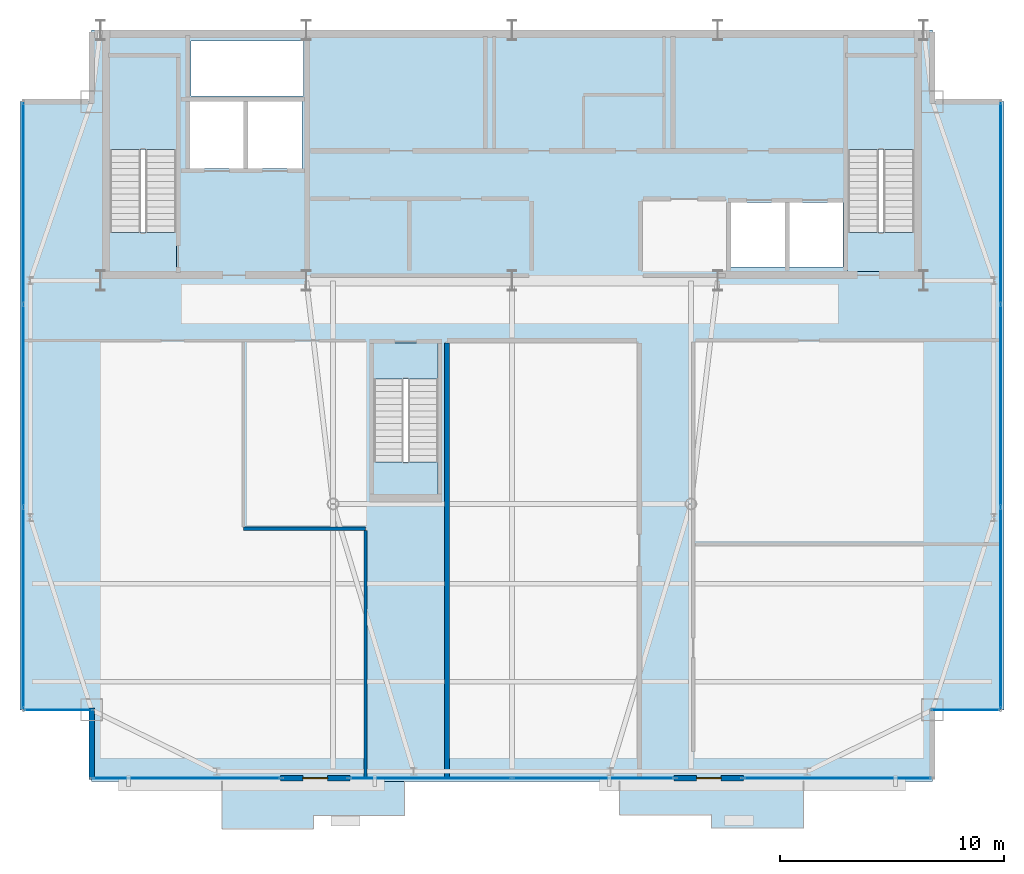
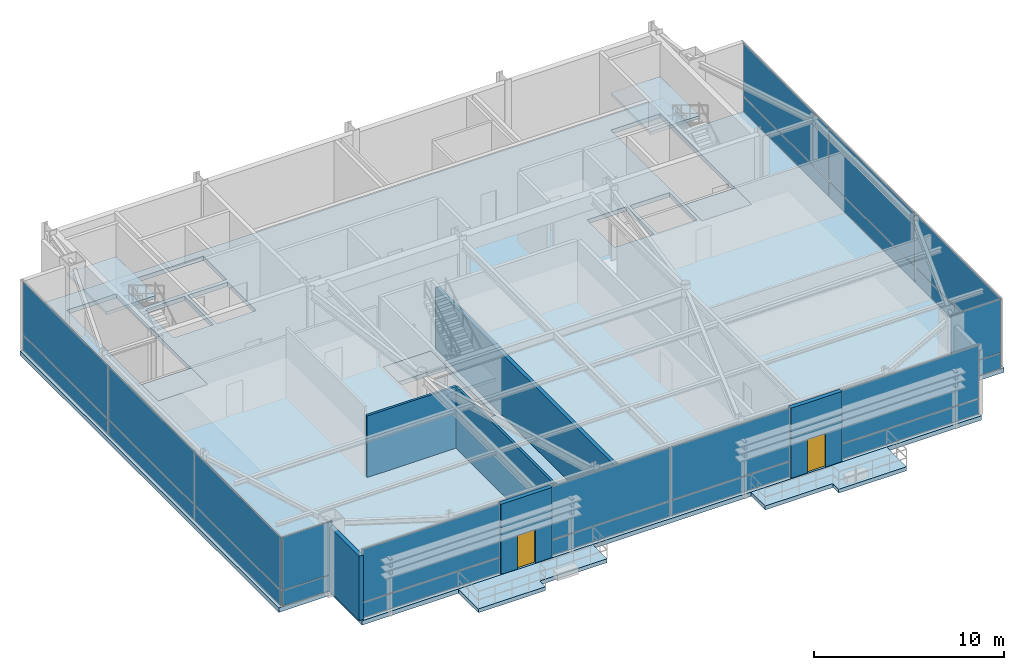
# One storey, part 17 of 22: 24 plates, 9 slabs, 6 walls, 2 doors, 2 openings, 10 elements without a shape of their own.
"""IFC4 building model written with IfcOpenShell, lengths in metres."""

from ifc_helpers import new_model, si_unit, direction, frame, frame_2d, origin, origin_2d, place, context, subcontext, project, spatial, polyline, rectangle, outline, extrude, source, transform, mapped, material, layer, layer_set, type_object, type_shapes, element, fill, aggregate, save


model = new_model("IFC4")

# Units and contexts
model_context = context("Model", 3, precision=1e-05, world=origin(), true_north=direction((0.0, 1.0)))
body_context = subcontext(model_context, "Body", "Model", "MODEL_VIEW")
ifc_project = project(units=[si_unit("LENGTHUNIT", "METRE"), si_unit("AREAUNIT", "SQUARE_METRE"), si_unit("VOLUMEUNIT", "CUBIC_METRE"), si_unit("PLANEANGLEUNIT", "RADIAN"), si_unit("MASSUNIT", "GRAM", prefix="KILO")], contexts=[model_context])

# Site, building, storey
site_placement = place(None, origin())
site = spatial("IfcSite", under=ifc_project, at=site_placement, CompositionType="ELEMENT")
building_placement = place(site_placement, origin())
building = spatial("IfcBuilding", under=site, at=building_placement, Name="Varnel Quay Broadcast Tower", CompositionType="ELEMENT")
storey_placement = place(building_placement, frame((0.0, 0.0, 305.0)))
storey = spatial("IfcBuildingStorey", under=building, at=storey_placement, Name="L76", CompositionType="ELEMENT", Elevation=305.0)

# Slabs
ifc_material_1 = material(Name="Concrete CSA A23.3 C40/50", Category="concrete")
ifc_layer_1 = layer(ifc_material_1, 0.25, Name="Concrete CSA A23.3 C40/50")
ifc_layer_set_1 = layer_set([ifc_layer_1], Name="Concrete CSA A23.3 C40/50")
slab_type_1 = type_object("IfcSlabType", Name="Slab_ExtTerrace250", PredefinedType="FLOOR", material=ifc_layer_set_1)
slab_1_placement = place(storey_placement, frame((0.0, 0.0, -0.25)))
element("IfcSlab", 1, at=slab_1_placement, inside=storey, type_object=slab_type_1, Name="L76 Planted Lobe Terrace Slab 1", PredefinedType="FLOOR", context=body_context, shape_type="SweptSolid", body=[
    extrude(outline(polyline([(21.0400390625, 11.0869140625), (25.1201171875, 11.0869140625), (25.1201171875, 11.68701171875), (29.199951171875, 11.68701171875), (29.199951171875, 13.199951171875), (21.0400390625, 13.199951171875), (21.0400390625, 11.0869140625)])), origin(), (0.0, 0.0, 1.0), 0.25),
])
slab_2_placement = place(storey_placement, frame((0.0, 0.0, -0.25)))
element("IfcSlab", 2, at=slab_2_placement, inside=storey, type_object=slab_type_1, Name="L76 Planted Lobe Terrace Slab 2", PredefinedType="FLOOR", context=body_context, shape_type="SweptSolid", body=[
    extrude(outline(polyline([(38.800048828125, 11.712890625), (42.919921875, 11.712890625), (42.919921875, 11.113037109375), (47.0400390625, 11.113037109375), (47.0400390625, 13.199951171875), (38.800048828125, 13.199951171875), (38.800048828125, 11.712890625)])), origin(), (0.0, 0.0, 1.0), 0.25),
])
ifc_material_2 = material(Name="Concrete CSA A23.3 C50/60", Category="concrete")
ifc_layer_2 = layer(ifc_material_2, 0.280029296875, Name="Concrete CSA A23.3 C50/60")
ifc_layer_set_2 = layer_set([ifc_layer_2], Name="Concrete CSA A23.3 C50/60")
slab_type_2 = type_object("IfcSlabType", Name="Slab_Floor280", PredefinedType="FLOOR", material=ifc_layer_set_2)
slab_3_placement = place(storey_placement, frame((0.0, 0.0, -0.280029296875)))
element("IfcSlab", 3, at=slab_3_placement, inside=storey, type_object=slab_type_2, Name="L76 Structural Slab", PredefinedType="FLOOR", context=body_context, shape_type="SweptSolid", body=[
    extrude(outline(polyline([(15.199951171875, 13.199951171875), (52.800048828125, 13.199951171875), (52.800048828125, 16.39990234375), (56.0, 16.39990234375), (56.0, 43.60009765625), (52.800048828125, 43.60009765625), (52.800048828125, 46.800048828125), (15.199951171875, 46.800048828125), (15.199951171875, 43.60009765625), (12.0, 43.60009765625), (12.0, 16.39990234375), (15.199951171875, 16.39990234375), (15.199951171875, 13.199951171875)]), holes=[polyline([(27.800048828125, 32.800048828125), (30.699951171875, 32.800048828125), (30.699951171875, 26.0), (27.800048828125, 26.0), (27.800048828125, 32.800048828125)]), polyline([(43.800048828125, 36.199951171875), (43.800048828125, 39.10009765625), (46.199951171875, 39.10009765625), (46.199951171875, 36.199951171875), (43.800048828125, 36.199951171875)]), polyline([(46.39990234375, 36.199951171875), (46.39990234375, 39.10009765625), (48.800048828125, 39.10009765625), (48.800048828125, 36.199951171875), (46.39990234375, 36.199951171875)]), polyline([(19.0, 36.0), (16.0, 36.0), (16.0, 45.60009765625), (19.0, 45.60009765625), (19.0, 36.0)]), polyline([(52.0, 36.0), (49.0, 36.0), (49.0, 45.60009765625), (52.0, 45.60009765625), (52.0, 36.0)]), polyline([(19.60009765625, 40.60009765625), (19.60009765625, 43.60009765625), (22.0, 43.60009765625), (22.0, 40.60009765625), (19.60009765625, 40.60009765625)]), polyline([(22.199951171875, 40.60009765625), (22.199951171875, 43.60009765625), (24.60009765625, 43.60009765625), (24.60009765625, 40.60009765625), (22.199951171875, 40.60009765625)]), polyline([(19.64990234375, 43.85009765625), (19.64990234375, 46.300048828125), (24.679931640625, 46.300048828125), (24.679931640625, 43.85009765625), (19.64990234375, 43.85009765625)])]), origin(), (0.0, 0.0, 1.0), 0.280029296875),
])
ifc_layer_3 = layer(ifc_material_2, 0.25, Name="Concrete CSA A23.3 C50/60")
ifc_layer_set_3 = layer_set([ifc_layer_3], Name="Concrete CSA A23.3 C50/60")
slab_type_3 = type_object("IfcSlabType", Name="Slab_StairFloorLanding250", PredefinedType="FLOOR", material=ifc_layer_set_3)
slab_4_placement = place(storey_placement, frame((0.0, 0.0, -0.280029296875)))
element("IfcSlab", 4, at=slab_4_placement, inside=storey, type_object=slab_type_3, Name="L76 ST-01 Structural Floor Landing Slab", PredefinedType="FLOOR", context=body_context, shape_type="SweptSolid", body=[
    extrude(outline(polyline([(19.0, 36.0), (19.0, 37.75), (16.0, 37.75), (16.0, 36.0), (19.0, 36.0)])), origin(), (0.0, 0.0, 1.0), 0.280029296875),
])
slab_5_placement = place(storey_placement, frame((0.0, 0.0, -0.280029296875)))
element("IfcSlab", 5, at=slab_5_placement, inside=storey, type_object=slab_type_3, Name="L76 ST-02 Structural Floor Landing Slab", PredefinedType="FLOOR", context=body_context, shape_type="SweptSolid", body=[
    extrude(outline(polyline([(52.0, 36.0), (52.0, 37.75), (49.0, 37.75), (49.0, 36.0), (52.0, 36.0)])), origin(), (0.0, 0.0, 1.0), 0.280029296875),
])
slab_6_placement = place(storey_placement, frame((0.0, 0.0, -0.280029296875)))
element("IfcSlab", 6, at=slab_6_placement, inside=storey, type_object=slab_type_3, Name="L76 ST-04 Structural Floor Landing Slab", PredefinedType="FLOOR", context=body_context, shape_type="SweptSolid", body=[
    extrude(outline(polyline([(27.800048828125, 32.800048828125), (27.800048828125, 31.199951171875), (30.699951171875, 31.199951171875), (30.699951171875, 32.800048828125), (27.800048828125, 32.800048828125)])), origin(), (0.0, 0.0, 1.0), 0.280029296875),
])

# Stair, slab
ifc_material_3 = material(Name="Precast Structural Concrete C40/50", Category="concrete")
stair_type_1 = type_object("IfcStairType", Name="Stair_ST-01", PredefinedType="HALF_TURN_STAIR", material=ifc_material_3)
stair_1_placement = place(storey_placement, origin())
stair_1 = element("IfcStair", 7, at=stair_1_placement, inside=storey, type_object=stair_type_1, Name="L76 West Core Exit Stair 1", PredefinedType="HALF_TURN_STAIR")
ifc_layer_4 = layer(ifc_material_3, 0.199951171875, Name="Precast Structural Concrete C40/50")
ifc_layer_set_4 = layer_set([ifc_layer_4], Name="Precast Structural Concrete C40/50")
slab_type_4 = type_object("IfcSlabType", Name="Slab_StairLanding200", PredefinedType="LANDING", material=ifc_layer_set_4)
slab_7_placement = place(storey_placement, frame((0.0, 0.0, 2.199951171875)))
slab_7 = element("IfcSlab", 8, at=slab_7_placement, type_object=slab_type_4, Name="ST-01 landing 1", PredefinedType="LANDING", context=body_context, shape_type="SweptSolid", body=[
    extrude(outline(polyline([(19.0, 41.455078125), (19.0, 45.60009765625), (16.0, 45.60009765625), (16.0, 41.455078125), (19.0, 41.455078125)])), origin(), (0.0, 0.0, 1.0), 0.199951171875),
])
aggregate(stair_1, [slab_7])

stair_type_2 = type_object("IfcStairType", Name="Stair_ST-02", PredefinedType="HALF_TURN_STAIR", material=ifc_material_3)
stair_2_placement = place(storey_placement, origin())
stair_2 = element("IfcStair", 9, at=stair_2_placement, inside=storey, type_object=stair_type_2, Name="L76 East Core Exit Stair 2", PredefinedType="HALF_TURN_STAIR")
slab_8_placement = place(storey_placement, frame((0.0, 0.0, 2.199951171875)))
slab_8 = element("IfcSlab", 10, at=slab_8_placement, type_object=slab_type_4, Name="ST-02 landing 1", PredefinedType="LANDING", context=body_context, shape_type="SweptSolid", body=[
    extrude(outline(polyline([(52.0, 41.455078125), (52.0, 45.60009765625), (49.0, 45.60009765625), (49.0, 41.455078125), (52.0, 41.455078125)])), origin(), (0.0, 0.0, 1.0), 0.199951171875),
])
aggregate(stair_2, [slab_8])

stair_type_3 = type_object("IfcStairType", Name="Stair_ST-04", PredefinedType="HALF_TURN_STAIR", material=ifc_material_3)
stair_3_placement = place(storey_placement, origin())
stair_3 = element("IfcStair", 11, at=stair_3_placement, inside=storey, type_object=stair_type_3, Name="L76 Observation Gallery Stair 4", PredefinedType="HALF_TURN_STAIR")
slab_9_placement = place(storey_placement, frame((0.0, 0.0, 2.199951171875)))
slab_9 = element("IfcSlab", 12, at=slab_9_placement, type_object=slab_type_4, Name="ST-04 landing 1", PredefinedType="LANDING", context=body_context, shape_type="SweptSolid", body=[
    extrude(outline(polyline([(27.800048828125, 27.4951171875), (27.800048828125, 26.0), (30.699951171875, 26.0), (30.699951171875, 27.4951171875), (27.800048828125, 27.4951171875)])), origin(), (0.0, 0.0, 1.0), 0.199951171875),
])
aggregate(stair_3, [slab_9])

# Curtain wall, plates
ifc_material_4 = material(Name="Anodised Bronze Aluminium 6063-T6", Category="aluminium")
ifc_layer_5 = layer(ifc_material_4, 0.18994140625, Name="Anodised Bronze Aluminium 6063-T6")
ifc_layer_set_5 = layer_set([ifc_layer_5], Name="Anodised Bronze Aluminium 6063-T6")
curtain_wall_type_1 = type_object("IfcCurtainWallType", Name="CW_SkyObsHighVis", PredefinedType="NOTDEFINED", material=ifc_layer_set_5)
curtain_wall_1_placement = place(storey_placement, origin())
curtain_wall_1 = element("IfcCurtainWall", 13, at=curtain_wall_1_placement, inside=storey, type_object=curtain_wall_type_1, Name="L76 West Unitised Curtain Wall", PredefinedType="NOTDEFINED")
ifc_material_5 = material(Name="Triple-Glazed Clear High-Vision Low-E Glass", Category="glass")
ifc_layer_6 = layer(ifc_material_5, 0.0380859375, Name="Triple-Glazed Clear High-Vision Low-E Glass")
ifc_layer_set_6 = layer_set([ifc_layer_6], Name="Triple-Glazed Clear High-Vision Low-E Glass")
plate_type_1 = type_object("IfcPlateType", Name="Panel_CWS-05", PredefinedType="CURTAIN_PANEL", material=ifc_layer_set_6)
shared_shape_1 = source(origin(), body_context, "Body", "SweptSolid", [
    extrude(rectangle(XDim=8.9541015625, YDim=0.0380859375, at=origin_2d()), origin(), (0.0, 0.0, 1.0), 0.9599609375),
])
plate_1_placement = place(storey_placement, frame((12.14990234375, 20.9521484375, 0.06005859375), z_axis=(0.0, 0.0, 1.0), x_axis=(0.0, 1.0, 0.0)))
plate_1 = element("IfcPlate", 14, at=plate_1_placement, type_object=plate_type_1, Name="CWS-05 panel 1.1", PredefinedType="CURTAIN_PANEL", context=body_context, shape_type="MappedRepresentation", body=[
    mapped(shared_shape_1, transform((0.0, 0.0, 0.0), x_axis=(1.0, 0.0, 0.0), y_axis=(0.0, 1.0, 0.0), z_axis=(0.0, 0.0, 1.0), scale=1.0)),
])
plate_2_placement = place(storey_placement, frame((12.14990234375, 39.0478515625, 0.06005859375), z_axis=(0.0, 0.0, 1.0), x_axis=(0.0, 1.0, 0.0)))
plate_2 = element("IfcPlate", 15, at=plate_2_placement, type_object=plate_type_1, Name="CWS-05 panel 3.1", PredefinedType="CURTAIN_PANEL", context=body_context, shape_type="MappedRepresentation", body=[
    mapped(shared_shape_1, transform((0.0, 0.0, 0.0), x_axis=(1.0, 0.0, 0.0), y_axis=(0.0, 1.0, 0.0), z_axis=(0.0, 0.0, 1.0), scale=1.0)),
])

curtain_wall_2_placement = place(storey_placement, origin())
curtain_wall_2 = element("IfcCurtainWall", 16, at=curtain_wall_2_placement, inside=storey, type_object=curtain_wall_type_1, Name="L76 East Unitised Curtain Wall", PredefinedType="NOTDEFINED")
plate_3_placement = place(storey_placement, frame((55.85009765625, 20.9521484375, 0.06005859375), z_axis=(0.0, 0.0, 1.0), x_axis=(0.0, 1.0, 0.0)))
plate_3 = element("IfcPlate", 17, at=plate_3_placement, type_object=plate_type_1, Name="CWS-05 panel 1.1", PredefinedType="CURTAIN_PANEL", context=body_context, shape_type="MappedRepresentation", body=[
    mapped(shared_shape_1, transform((0.0, 0.0, 0.0), x_axis=(1.0, 0.0, 0.0), y_axis=(0.0, 1.0, 0.0), z_axis=(0.0, 0.0, 1.0), scale=1.0)),
])
plate_4_placement = place(storey_placement, frame((55.85009765625, 39.0478515625, 0.06005859375), z_axis=(0.0, 0.0, 1.0), x_axis=(0.0, 1.0, 0.0)))
plate_4 = element("IfcPlate", 18, at=plate_4_placement, type_object=plate_type_1, Name="CWS-05 panel 3.1", PredefinedType="CURTAIN_PANEL", context=body_context, shape_type="MappedRepresentation", body=[
    mapped(shared_shape_1, transform((0.0, 0.0, 0.0), x_axis=(1.0, 0.0, 0.0), y_axis=(0.0, 1.0, 0.0), z_axis=(0.0, 0.0, 1.0), scale=1.0)),
])

# Plate
shared_shape_2 = source(origin(), body_context, "Body", "SweptSolid", [
    extrude(rectangle(XDim=8.9541015625, YDim=0.0380859375, at=origin_2d()), origin(), (0.0, 0.0, 1.0), 3.3798828125),
])
plate_5_placement = place(storey_placement, frame((12.14990234375, 20.9521484375, 1.080078125), z_axis=(0.0, 0.0, 1.0), x_axis=(0.0, 1.0, 0.0)))
plate_5 = element("IfcPlate", 19, at=plate_5_placement, type_object=plate_type_1, Name="CWS-05 panel 1.2", PredefinedType="CURTAIN_PANEL", context=body_context, shape_type="MappedRepresentation", body=[
    mapped(shared_shape_2, transform((0.0, 0.0, 0.0), x_axis=(1.0, 0.0, 0.0), y_axis=(0.0, 1.0, 0.0), z_axis=(0.0, 0.0, 1.0), scale=1.0)),
])

plate_6_placement = place(storey_placement, frame((12.14990234375, 39.0478515625, 1.080078125), z_axis=(0.0, 0.0, 1.0), x_axis=(0.0, 1.0, 0.0)))
plate_6 = element("IfcPlate", 20, at=plate_6_placement, type_object=plate_type_1, Name="CWS-05 panel 3.2", PredefinedType="CURTAIN_PANEL", context=body_context, shape_type="MappedRepresentation", body=[
    mapped(shared_shape_2, transform((0.0, 0.0, 0.0), x_axis=(1.0, 0.0, 0.0), y_axis=(0.0, 1.0, 0.0), z_axis=(0.0, 0.0, 1.0), scale=1.0)),
])

plate_7_placement = place(storey_placement, frame((55.85009765625, 20.9521484375, 1.080078125), z_axis=(0.0, 0.0, 1.0), x_axis=(0.0, 1.0, 0.0)))
plate_7 = element("IfcPlate", 21, at=plate_7_placement, type_object=plate_type_1, Name="CWS-05 panel 1.2", PredefinedType="CURTAIN_PANEL", context=body_context, shape_type="MappedRepresentation", body=[
    mapped(shared_shape_2, transform((0.0, 0.0, 0.0), x_axis=(1.0, 0.0, 0.0), y_axis=(0.0, 1.0, 0.0), z_axis=(0.0, 0.0, 1.0), scale=1.0)),
])

plate_8_placement = place(storey_placement, frame((55.85009765625, 39.0478515625, 1.080078125), z_axis=(0.0, 0.0, 1.0), x_axis=(0.0, 1.0, 0.0)))
plate_8 = element("IfcPlate", 22, at=plate_8_placement, type_object=plate_type_1, Name="CWS-05 panel 3.2", PredefinedType="CURTAIN_PANEL", context=body_context, shape_type="MappedRepresentation", body=[
    mapped(shared_shape_2, transform((0.0, 0.0, 0.0), x_axis=(1.0, 0.0, 0.0), y_axis=(0.0, 1.0, 0.0), z_axis=(0.0, 0.0, 1.0), scale=1.0)),
])

shared_shape_3 = source(origin(), body_context, "Body", "SweptSolid", [
    extrude(rectangle(XDim=8.99169921875, YDim=0.0380859375, at=origin_2d()), origin(), (0.0, 0.0, 1.0), 0.9599609375),
])
plate_9_placement = place(storey_placement, frame((12.14990234375, 30.0, 0.06005859375), z_axis=(0.0, 0.0, 1.0), x_axis=(0.0, 1.0, 0.0)))
plate_9 = element("IfcPlate", 23, at=plate_9_placement, type_object=plate_type_1, Name="CWS-05 panel 2.1", PredefinedType="CURTAIN_PANEL", context=body_context, shape_type="MappedRepresentation", body=[
    mapped(shared_shape_3, transform((0.0, 0.0, 0.0), x_axis=(1.0, 0.0, 0.0), y_axis=(0.0, 1.0, 0.0), z_axis=(0.0, 0.0, 1.0), scale=1.0)),
])

plate_10_placement = place(storey_placement, frame((55.85009765625, 30.0, 0.06005859375), z_axis=(0.0, 0.0, 1.0), x_axis=(0.0, 1.0, 0.0)))
plate_10 = element("IfcPlate", 24, at=plate_10_placement, type_object=plate_type_1, Name="CWS-05 panel 2.1", PredefinedType="CURTAIN_PANEL", context=body_context, shape_type="MappedRepresentation", body=[
    mapped(shared_shape_3, transform((0.0, 0.0, 0.0), x_axis=(1.0, 0.0, 0.0), y_axis=(0.0, 1.0, 0.0), z_axis=(0.0, 0.0, 1.0), scale=1.0)),
])

shared_shape_4 = source(origin(), body_context, "Body", "SweptSolid", [
    extrude(rectangle(XDim=8.99169921875, YDim=0.0380859375, at=origin_2d()), origin(), (0.0, 0.0, 1.0), 3.3798828125),
])
plate_11_placement = place(storey_placement, frame((12.14990234375, 30.0, 1.080078125), z_axis=(0.0, 0.0, 1.0), x_axis=(0.0, 1.0, 0.0)))
plate_11 = element("IfcPlate", 25, at=plate_11_placement, type_object=plate_type_1, Name="CWS-05 panel 2.2", PredefinedType="CURTAIN_PANEL", context=body_context, shape_type="MappedRepresentation", body=[
    mapped(shared_shape_4, transform((0.0, 0.0, 0.0), x_axis=(1.0, 0.0, 0.0), y_axis=(0.0, 1.0, 0.0), z_axis=(0.0, 0.0, 1.0), scale=1.0)),
])

aggregate(curtain_wall_1, [plate_1, plate_5, plate_9, plate_11, plate_2, plate_6])

plate_12_placement = place(storey_placement, frame((55.85009765625, 30.0, 1.080078125), z_axis=(0.0, 0.0, 1.0), x_axis=(0.0, 1.0, 0.0)))
plate_12 = element("IfcPlate", 26, at=plate_12_placement, type_object=plate_type_1, Name="CWS-05 panel 2.2", PredefinedType="CURTAIN_PANEL", context=body_context, shape_type="MappedRepresentation", body=[
    mapped(shared_shape_4, transform((0.0, 0.0, 0.0), x_axis=(1.0, 0.0, 0.0), y_axis=(0.0, 1.0, 0.0), z_axis=(0.0, 0.0, 1.0), scale=1.0)),
])

aggregate(curtain_wall_2, [plate_3, plate_7, plate_10, plate_12, plate_4, plate_8])

# Curtain wall, plate
ifc_layer_7 = layer(ifc_material_4, 0.18994140625, Name="Anodised Bronze Aluminium 6063-T6")
ifc_layer_set_7 = layer_set([ifc_layer_7], Name="Anodised Bronze Aluminium 6063-T6")
curtain_wall_type_2 = type_object("IfcCurtainWallType", Name="CW_NotchCorner", PredefinedType="NOTDEFINED", material=ifc_layer_set_7)
curtain_wall_3_placement = place(storey_placement, origin())
curtain_wall_3 = element("IfcCurtainWall", 27, at=curtain_wall_3_placement, inside=storey, type_object=curtain_wall_type_2, Name="L76 SW Notch Curtain Wall", PredefinedType="NOTDEFINED")
ifc_material_6 = material(Name="Triple-Glazed Bronze Low-E Architectural Glass", Category="glass")
ifc_layer_8 = layer(ifc_material_6, 0.028076171875, Name="Triple-Glazed Bronze Low-E Architectural Glass")
ifc_layer_set_8 = layer_set([ifc_layer_8], Name="Triple-Glazed Bronze Low-E Architectural Glass")
plate_type_2 = type_object("IfcPlateType", Name="Panel_CWS-04", PredefinedType="CURTAIN_PANEL", material=ifc_layer_set_8)
shared_shape_5 = source(origin(), body_context, "Body", "SweptSolid", [
    extrude(rectangle(XDim=3.010009765625, YDim=0.028076171875, at=origin_2d()), origin(), (0.0, 0.0, 1.0), 0.967529296875),
])
plate_13_placement = place(storey_placement, frame((13.715087890625, 16.39990234375, 0.05517578125), z_axis=(0.0, 0.0, 1.0), x_axis=(1.0, 0.0, 0.0)))
plate_13 = element("IfcPlate", 28, at=plate_13_placement, type_object=plate_type_2, Name="CWS-04 panel 1.1", PredefinedType="CURTAIN_PANEL", context=body_context, shape_type="MappedRepresentation", body=[
    mapped(shared_shape_5, transform((0.0, 0.0, 0.0), x_axis=(1.0, 0.0, 0.0), y_axis=(0.0, 1.0, 0.0), z_axis=(0.0, 0.0, 1.0), scale=1.0)),
])

curtain_wall_4_placement = place(storey_placement, origin())
curtain_wall_4 = element("IfcCurtainWall", 29, at=curtain_wall_4_placement, inside=storey, type_object=curtain_wall_type_2, Name="L76 SE Notch Curtain Wall", PredefinedType="NOTDEFINED")
plate_14_placement = place(storey_placement, frame((54.284912109375, 16.39990234375, 0.05517578125), z_axis=(0.0, 0.0, 1.0), x_axis=(1.0, 0.0, 0.0)))
plate_14 = element("IfcPlate", 30, at=plate_14_placement, type_object=plate_type_2, Name="CWS-04 panel 1.1", PredefinedType="CURTAIN_PANEL", context=body_context, shape_type="MappedRepresentation", body=[
    mapped(shared_shape_5, transform((0.0, 0.0, 0.0), x_axis=(1.0, 0.0, 0.0), y_axis=(0.0, 1.0, 0.0), z_axis=(0.0, 0.0, 1.0), scale=1.0)),
])

# Plate
shared_shape_6 = source(origin(), body_context, "Body", "SweptSolid", [
    extrude(rectangle(XDim=3.010009765625, YDim=0.028076171875, at=origin_2d()), origin(), (0.0, 0.0, 1.0), 3.387451171875),
])
type_shapes(plate_type_2, [shared_shape_5, shared_shape_6])
plate_15_placement = place(storey_placement, frame((13.715087890625, 16.39990234375, 1.07763671875), z_axis=(0.0, 0.0, 1.0), x_axis=(1.0, 0.0, 0.0)))
plate_15 = element("IfcPlate", 31, at=plate_15_placement, type_object=plate_type_2, Name="CWS-04 panel 1.2", PredefinedType="CURTAIN_PANEL", context=body_context, shape_type="MappedRepresentation", body=[
    mapped(shared_shape_6, transform((0.0, 0.0, 0.0), x_axis=(1.0, 0.0, 0.0), y_axis=(0.0, 1.0, 0.0), z_axis=(0.0, 0.0, 1.0), scale=1.0)),
])

aggregate(curtain_wall_3, [plate_13, plate_15])

plate_16_placement = place(storey_placement, frame((54.284912109375, 16.39990234375, 1.07763671875), z_axis=(0.0, 0.0, 1.0), x_axis=(1.0, 0.0, 0.0)))
plate_16 = element("IfcPlate", 32, at=plate_16_placement, type_object=plate_type_2, Name="CWS-04 panel 1.2", PredefinedType="CURTAIN_PANEL", context=body_context, shape_type="MappedRepresentation", body=[
    mapped(shared_shape_6, transform((0.0, 0.0, 0.0), x_axis=(1.0, 0.0, 0.0), y_axis=(0.0, 1.0, 0.0), z_axis=(0.0, 0.0, 1.0), scale=1.0)),
])

aggregate(curtain_wall_4, [plate_14, plate_16])

# Curtain wall, plate
curtain_wall_5_placement = place(storey_placement, origin())
curtain_wall_5 = element("IfcCurtainWall", 33, at=curtain_wall_5_placement, inside=storey, type_object=curtain_wall_type_1, Name="L76 South Unitised Curtain Wall 1", PredefinedType="NOTDEFINED")
shared_shape_7 = source(origin(), body_context, "Body", "SweptSolid", [
    extrude(rectangle(XDim=8.3701171875, YDim=0.0380859375, at=origin_2d()), origin(), (0.0, 0.0, 1.0), 0.9599609375),
])
plate_17_placement = place(storey_placement, frame((19.4599609375, 13.35009765625, 0.06005859375), z_axis=(0.0, 0.0, 1.0), x_axis=(1.0, 0.0, 0.0)))
plate_17 = element("IfcPlate", 34, at=plate_17_placement, type_object=plate_type_1, Name="CWS-05 panel 1.1", PredefinedType="CURTAIN_PANEL", context=body_context, shape_type="MappedRepresentation", body=[
    mapped(shared_shape_7, transform((0.0, 0.0, 0.0), x_axis=(1.0, 0.0, 0.0), y_axis=(0.0, 1.0, 0.0), z_axis=(0.0, 0.0, 1.0), scale=1.0)),
])

curtain_wall_6_placement = place(storey_placement, origin())
curtain_wall_6 = element("IfcCurtainWall", 35, at=curtain_wall_6_placement, inside=storey, type_object=curtain_wall_type_1, Name="L76 South Unitised Curtain Wall 3", PredefinedType="NOTDEFINED")
plate_18_placement = place(storey_placement, frame((48.5400390625, 13.35009765625, 0.06005859375), z_axis=(0.0, 0.0, 1.0), x_axis=(1.0, 0.0, 0.0)))
plate_18 = element("IfcPlate", 36, at=plate_18_placement, type_object=plate_type_1, Name="CWS-05 panel 1.1", PredefinedType="CURTAIN_PANEL", context=body_context, shape_type="MappedRepresentation", body=[
    mapped(shared_shape_7, transform((0.0, 0.0, 0.0), x_axis=(1.0, 0.0, 0.0), y_axis=(0.0, 1.0, 0.0), z_axis=(0.0, 0.0, 1.0), scale=1.0)),
])

# Plate
shared_shape_8 = source(origin(), body_context, "Body", "SweptSolid", [
    extrude(rectangle(XDim=8.3701171875, YDim=0.0380859375, at=origin_2d()), origin(), (0.0, 0.0, 1.0), 3.3798828125),
])
plate_19_placement = place(storey_placement, frame((19.4599609375, 13.35009765625, 1.080078125), z_axis=(0.0, 0.0, 1.0), x_axis=(1.0, 0.0, 0.0)))
plate_19 = element("IfcPlate", 37, at=plate_19_placement, type_object=plate_type_1, Name="CWS-05 panel 1.2", PredefinedType="CURTAIN_PANEL", context=body_context, shape_type="MappedRepresentation", body=[
    mapped(shared_shape_8, transform((0.0, 0.0, 0.0), x_axis=(1.0, 0.0, 0.0), y_axis=(0.0, 1.0, 0.0), z_axis=(0.0, 0.0, 1.0), scale=1.0)),
])

aggregate(curtain_wall_5, [plate_17, plate_19])

plate_20_placement = place(storey_placement, frame((48.5400390625, 13.35009765625, 1.080078125), z_axis=(0.0, 0.0, 1.0), x_axis=(1.0, 0.0, 0.0)))
plate_20 = element("IfcPlate", 38, at=plate_20_placement, type_object=plate_type_1, Name="CWS-05 panel 1.2", PredefinedType="CURTAIN_PANEL", context=body_context, shape_type="MappedRepresentation", body=[
    mapped(shared_shape_8, transform((0.0, 0.0, 0.0), x_axis=(1.0, 0.0, 0.0), y_axis=(0.0, 1.0, 0.0), z_axis=(0.0, 0.0, 1.0), scale=1.0)),
])

aggregate(curtain_wall_6, [plate_18, plate_20])

# Curtain wall, plates
curtain_wall_7_placement = place(storey_placement, origin())
curtain_wall_7 = element("IfcCurtainWall", 39, at=curtain_wall_7_placement, inside=storey, type_object=curtain_wall_type_1, Name="L76 South Unitised Curtain Wall 2", PredefinedType="NOTDEFINED")
shared_shape_9 = source(origin(), body_context, "Body", "SweptSolid", [
    extrude(rectangle(XDim=7.20751953125, YDim=0.0380859375, at=origin_2d()), origin(), (0.0, 0.0, 1.0), 0.9599609375),
])
plate_21_placement = place(storey_placement, frame((30.358642578125, 13.35009765625, 0.06005859375), z_axis=(0.0, 0.0, 1.0), x_axis=(1.0, 0.0, 0.0)))
plate_21 = element("IfcPlate", 40, at=plate_21_placement, type_object=plate_type_1, Name="CWS-05 panel 1.1", PredefinedType="CURTAIN_PANEL", context=body_context, shape_type="MappedRepresentation", body=[
    mapped(shared_shape_9, transform((0.0, 0.0, 0.0), x_axis=(1.0, 0.0, 0.0), y_axis=(0.0, 1.0, 0.0), z_axis=(0.0, 0.0, 1.0), scale=1.0)),
])
plate_22_placement = place(storey_placement, frame((37.641357421875, 13.35009765625, 0.06005859375), z_axis=(0.0, 0.0, 1.0), x_axis=(1.0, 0.0, 0.0)))
plate_22 = element("IfcPlate", 41, at=plate_22_placement, type_object=plate_type_1, Name="CWS-05 panel 2.1", PredefinedType="CURTAIN_PANEL", context=body_context, shape_type="MappedRepresentation", body=[
    mapped(shared_shape_9, transform((0.0, 0.0, 0.0), x_axis=(1.0, 0.0, 0.0), y_axis=(0.0, 1.0, 0.0), z_axis=(0.0, 0.0, 1.0), scale=1.0)),
])
shared_shape_10 = source(origin(), body_context, "Body", "SweptSolid", [
    extrude(rectangle(XDim=7.20751953125, YDim=0.0380859375, at=origin_2d()), origin(), (0.0, 0.0, 1.0), 3.3798828125),
])
type_shapes(plate_type_1, [shared_shape_1, shared_shape_2, shared_shape_3, shared_shape_4, shared_shape_7, shared_shape_8, shared_shape_9, shared_shape_10])
plate_23_placement = place(storey_placement, frame((30.358642578125, 13.35009765625, 1.080078125), z_axis=(0.0, 0.0, 1.0), x_axis=(1.0, 0.0, 0.0)))
plate_23 = element("IfcPlate", 42, at=plate_23_placement, type_object=plate_type_1, Name="CWS-05 panel 1.2", PredefinedType="CURTAIN_PANEL", context=body_context, shape_type="MappedRepresentation", body=[
    mapped(shared_shape_10, transform((0.0, 0.0, 0.0), x_axis=(1.0, 0.0, 0.0), y_axis=(0.0, 1.0, 0.0), z_axis=(0.0, 0.0, 1.0), scale=1.0)),
])
plate_24_placement = place(storey_placement, frame((37.641357421875, 13.35009765625, 1.080078125), z_axis=(0.0, 0.0, 1.0), x_axis=(1.0, 0.0, 0.0)))
plate_24 = element("IfcPlate", 43, at=plate_24_placement, type_object=plate_type_1, Name="CWS-05 panel 2.2", PredefinedType="CURTAIN_PANEL", context=body_context, shape_type="MappedRepresentation", body=[
    mapped(shared_shape_10, transform((0.0, 0.0, 0.0), x_axis=(1.0, 0.0, 0.0), y_axis=(0.0, 1.0, 0.0), z_axis=(0.0, 0.0, 1.0), scale=1.0)),
])
aggregate(curtain_wall_7, [plate_21, plate_23, plate_22, plate_24])

# Wall, opening, door
ifc_material_7 = material(Name="Precast Architectural Concrete C40/50", Category="concrete")
ifc_layer_9 = layer(ifc_material_7, 0.25, Name="Precast Architectural Concrete C40/50")
ifc_layer_set_9 = layer_set([ifc_layer_9], Name="Precast Architectural Concrete C40/50")
wall_type_1 = type_object("IfcWallType", Name="Wall_ExtTerrace250", PredefinedType="SOLIDWALL", material=ifc_layer_set_9)
wall_1_placement = place(storey_placement, frame((23.64990234375, 13.35009765625, 0.0), z_axis=(0.0, 0.0, 1.0), x_axis=(1.0, 0.0, 0.0)))
wall_1 = element("IfcWall", 44, at=wall_1_placement, inside=storey, type_object=wall_type_1, Name="L76 Terrace Access Wall 1", PredefinedType="SOLIDWALL", context=body_context, shape_type="SweptSolid", body=[
    extrude(rectangle(XDim=3.10009765625, YDim=0.25, at=frame_2d((1.550048828125, 0.0))), origin(), (0.0, 0.0, 1.0), 4.5),
])
opening_1_placement = place(wall_1_placement, frame((1.0, 0.0, 0.0)))
opening_1 = element("IfcOpeningElement", 45, at=opening_1_placement, cuts=wall_1, Name="Opening TD-761", PredefinedType="OPENING", context=body_context, shape_type="SweptSolid", body=[
    extrude(rectangle(XDim=1.10009765625, YDim=2.14990234375, at=frame_2d((0.550048828125, 1.074951171875))), frame((0.0, 0.135009765625, 0.0), z_axis=(0.0, -1.0, 0.0), x_axis=(1.0, 0.0, 0.0)), (0.0, 0.0, 1.0), 0.27001953125),
])
door_type = type_object("IfcDoorType", Name="Door_ExtTerrace1100", OperationType="NOTDEFINED", PredefinedType="DOOR", material=ifc_material_4)
shared_shape_11 = source(origin(), body_context, "Body", "SweptSolid", [
    extrude(rectangle(XDim=1.10009765625, YDim=2.14990234375, at=frame_2d((0.550048828125, 1.074951171875))), frame((0.0, 0.02490234375, 0.0), z_axis=(0.0, -1.0, 0.0), x_axis=(1.0, 0.0, 0.0)), (0.0, 0.0, 1.0), 0.050048828125),
])
type_shapes(door_type, [shared_shape_11])
door_1_placement = place(opening_1_placement, frame((1.10009765625, 0.0, 0.0), z_axis=(0.0, 0.0, 1.0), x_axis=(-1.0, 0.0, 0.0)))
door_1 = element("IfcDoor", 46, at=door_1_placement, inside=storey, type_object=door_type, Name="L76 Terrace Door TD-761", OperationType="SINGLE_SWING_LEFT", OverallHeight=2.14990234375, OverallWidth=1.10009765625, PredefinedType="DOOR", context=body_context, shape_type="MappedRepresentation", body=[
    mapped(shared_shape_11, transform((0.0, 0.0, 0.0), x_axis=(1.0, 0.0, 0.0), y_axis=(0.0, 1.0, 0.0), z_axis=(0.0, 0.0, 1.0), scale=1.0)),
])
fill(opening_1, door_1)

wall_2_placement = place(storey_placement, frame((41.25, 13.35009765625, 0.0), z_axis=(0.0, 0.0, 1.0), x_axis=(1.0, 0.0, 0.0)))
wall_2 = element("IfcWall", 47, at=wall_2_placement, inside=storey, type_object=wall_type_1, Name="L76 Terrace Access Wall 2", PredefinedType="SOLIDWALL", context=body_context, shape_type="SweptSolid", body=[
    extrude(rectangle(XDim=3.10009765625, YDim=0.25, at=frame_2d((1.550048828125, 0.0))), origin(), (0.0, 0.0, 1.0), 4.5),
])
opening_2_placement = place(wall_2_placement, frame((1.0, 0.0, 0.0)))
opening_2 = element("IfcOpeningElement", 48, at=opening_2_placement, cuts=wall_2, Name="Opening TD-762", PredefinedType="OPENING", context=body_context, shape_type="SweptSolid", body=[
    extrude(rectangle(XDim=1.10009765625, YDim=2.14990234375, at=frame_2d((0.550048828125, 1.074951171875))), frame((0.0, 0.135009765625, 0.0), z_axis=(0.0, -1.0, 0.0), x_axis=(1.0, 0.0, 0.0)), (0.0, 0.0, 1.0), 0.27001953125),
])
door_2_placement = place(opening_2_placement, frame((1.10009765625, 0.0, 0.0), z_axis=(0.0, 0.0, 1.0), x_axis=(-1.0, 0.0, 0.0)))
door_2 = element("IfcDoor", 49, at=door_2_placement, inside=storey, type_object=door_type, Name="L76 Terrace Door TD-762", OperationType="SINGLE_SWING_RIGHT", OverallHeight=2.14990234375, OverallWidth=1.10009765625, PredefinedType="DOOR", context=body_context, shape_type="MappedRepresentation", body=[
    mapped(shared_shape_11, transform((0.0, 0.0, 0.0), x_axis=(1.0, 0.0, 0.0), y_axis=(0.0, 1.0, 0.0), z_axis=(0.0, 0.0, 1.0), scale=1.0)),
])
fill(opening_2, door_2)

# Walls
wall_3_placement = place(storey_placement, frame((15.199951171875, 13.280029296875, 0.0), z_axis=(0.0, 0.0, 1.0), x_axis=(0.0, 1.0, 0.0)))
element("IfcWall", 50, at=wall_3_placement, inside=storey, type_object=wall_type_1, Name="L76 Mega-Column Notch Cladding Wall NSW2", PredefinedType="SOLIDWALL", context=body_context, shape_type="SweptSolid", body=[
    extrude(rectangle(XDim=3.199951171875, YDim=0.25, at=frame_2d((1.60009765625, 0.0))), origin(), (0.0, 0.0, 1.0), 4.14111328125),
])
ifc_material_8 = material(Name="Steel-Stud Fire-Rated Acoustic Gypsum Partition Assembly", Category="steel")
ifc_layer_10 = layer(ifc_material_8, 0.139892578125, Name="Steel-Stud Fire-Rated Acoustic Gypsum Partition Assembly")
ifc_layer_set_10 = layer_set([ifc_layer_10], Name="Steel-Stud Fire-Rated Acoustic Gypsum Partition Assembly")
wall_type_2 = type_object("IfcWallType", Name="Wall_Partition140", PredefinedType="PARTITIONING", material=ifc_layer_set_10)
wall_4_placement = place(storey_placement, frame((27.449951171875, 13.3798828125, 0.0), z_axis=(0.0, 0.0, 1.0), x_axis=(0.0, 1.0, 0.0)))
element("IfcWall", 51, at=wall_4_placement, inside=storey, type_object=wall_type_2, Name="L76 Planted Sky-Garden Viewing Lounge Partition 8", PredefinedType="PARTITIONING", context=body_context, shape_type="SweptSolid", body=[
    extrude(rectangle(XDim=11.050048828125, YDim=0.139892578125, at=frame_2d((5.52490234375, 0.0))), origin(), (0.0, 0.0, 1.0), 3.950927734375),
])
wall_5_placement = place(storey_placement, frame((22.0, 24.5, 0.0), z_axis=(0.0, 0.0, 1.0), x_axis=(1.0, 0.0, 0.0)))
element("IfcWall", 52, at=wall_5_placement, inside=storey, type_object=wall_type_2, Name="L76 Planted Sky-Garden Viewing Lounge Partition 9", PredefinedType="PARTITIONING", context=body_context, shape_type="SweptSolid", body=[
    extrude(rectangle(XDim=5.449951171875, YDim=0.139892578125, at=frame_2d((2.72509765625, 0.0))), origin(), (0.0, 0.0, 1.0), 3.950927734375),
])
ifc_layer_11 = layer(ifc_material_8, 0.22509765625, Name="Steel-Stud Fire-Rated Acoustic Gypsum Partition Assembly")
ifc_layer_set_11 = layer_set([ifc_layer_11], Name="Steel-Stud Fire-Rated Acoustic Gypsum Partition Assembly")
wall_type_3 = type_object("IfcWallType", Name="Wall_Partition225", PredefinedType="PARTITIONING", material=ifc_layer_set_11)
wall_6_placement = place(storey_placement, frame((31.10009765625, 13.3798828125, 0.0), z_axis=(0.0, 0.0, 1.0), x_axis=(0.0, 1.0, 0.0)))
element("IfcWall", 53, at=wall_6_placement, inside=storey, type_object=wall_type_3, Name="L76 Immersive Broadcast Screening Room Partition 14", PredefinedType="PARTITIONING", context=body_context, shape_type="SweptSolid", body=[
    extrude(rectangle(XDim=19.43212890625, YDim=0.22509765625, at=frame_2d((9.716064453125, 0.0))), origin(), (0.0, 0.0, 1.0), 3.950927734375),
])

save(model, "model.ifc")
